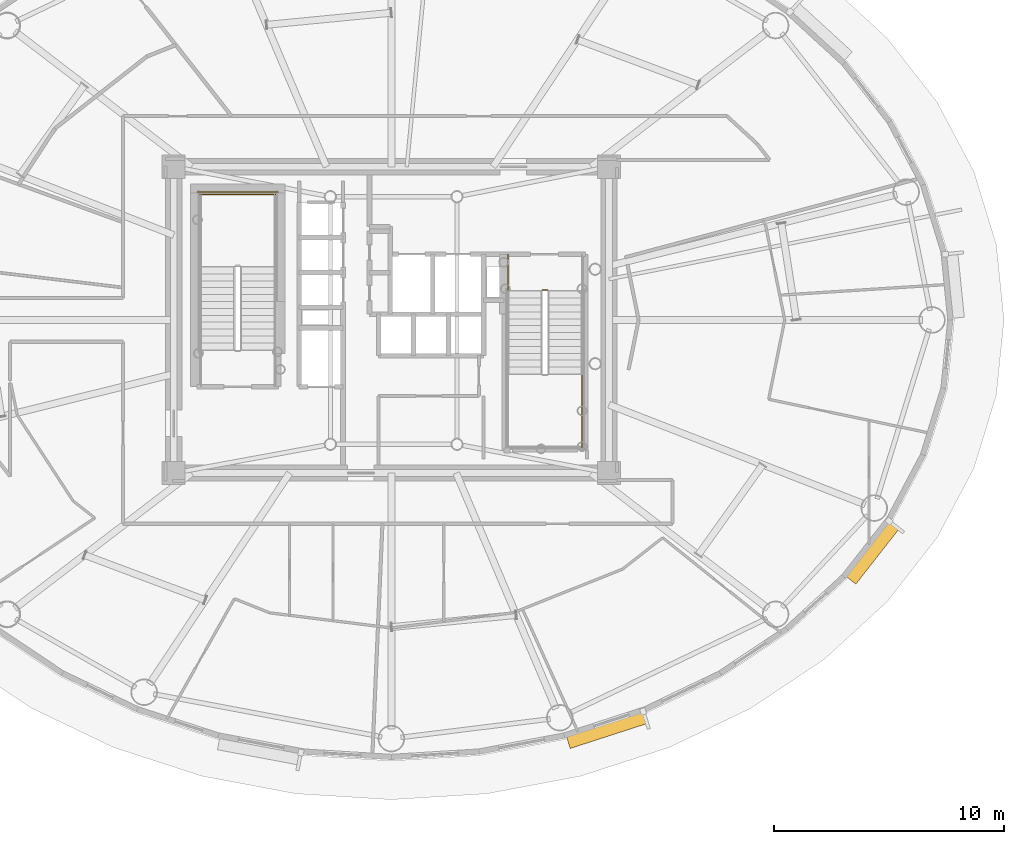
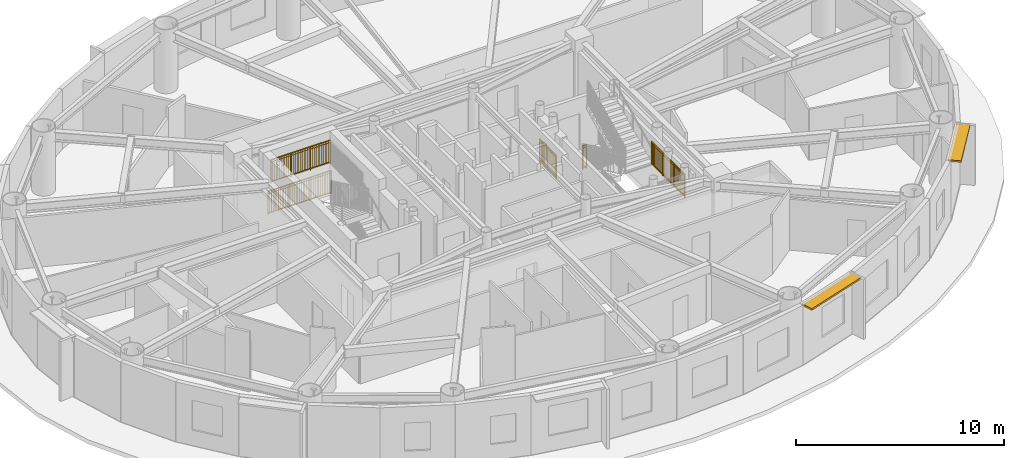
# One storey, part 18 of 19: 5 railings, 2 shading devices.
"""IFC4 building model written with IfcOpenShell, lengths in metres."""

from ifc_helpers import new_model, si_unit, direction, frame, origin, origin_2d, place, context, subcontext, project, spatial, rectangle, extrude, source, transform, mapped, material, layer, layer_set, type_object, element, save


model = new_model("IFC4")

# Units and contexts
model_context = context("Model", 3, precision=1e-05, world=origin(), true_north=direction((0.0, 1.0)))
body_context = subcontext(model_context, "Body", "Model", "MODEL_VIEW")
ifc_project = project(units=[si_unit("LENGTHUNIT", "METRE"), si_unit("AREAUNIT", "SQUARE_METRE"), si_unit("VOLUMEUNIT", "CUBIC_METRE"), si_unit("PLANEANGLEUNIT", "RADIAN"), si_unit("MASSUNIT", "GRAM", prefix="KILO")], contexts=[model_context])

# Site, building, storey
site_placement = place(None, origin())
site = spatial("IfcSite", under=ifc_project, at=site_placement, CompositionType="ELEMENT")
building_placement = place(site_placement, origin())
building = spatial("IfcBuilding", under=site, at=building_placement, Name="Linh Dai School and Residence Tower", CompositionType="ELEMENT")
storey_placement = place(building_placement, frame((0.0, 0.0, 210.300048828125)))
storey = spatial("IfcBuildingStorey", under=building, at=storey_placement, Name="L51", CompositionType="ELEMENT", Elevation=210.300048828125)

# Shading devices
ifc_material_1 = material(Name="Terracotta Ceramic Sunshade", Category="masonry")
ifc_layer = layer(ifc_material_1, 0.10009765625)
ifc_layer_set = layer_set([ifc_layer], Name="Terracotta Ceramic Sunshade")
shading_device_type = type_object("IfcShadingDeviceType", Name="SHD-TC-650", PredefinedType="USERDEFINED", material=ifc_layer_set)
shared_shape_1 = source(origin(), body_context, "Body", "SweptSolid", [
    extrude(rectangle(XDim=3.554443359375, YDim=0.64990234375, at=origin_2d()), origin(), (0.0, 0.0, 1.0), 0.10009765625),
])
shading_device_1_placement = place(storey_placement, frame((45.358154296875, 9.251220703125, 3.3798828125), z_axis=(0.0, 0.0, 1.0), x_axis=(-0.951223997135, -0.308501065272, 0.0)))
element("IfcShadingDevice", 1, at=shading_device_1_placement, inside=storey, type_object=shading_device_type, Name="L51 Terracotta Horizontal Sunshade Band 33", ObjectType="SUNSHADE", PredefinedType="USERDEFINED", context=body_context, shape_type="MappedRepresentation", body=[
    mapped(shared_shape_1, transform((0.0, 0.0, 0.0), x_axis=(1.0, 0.0, 0.0), y_axis=(0.0, 1.0, 0.0), z_axis=(0.0, 0.0, 1.0), scale=1.0)),
])
shared_shape_2 = source(origin(), body_context, "Body", "SweptSolid", [
    extrude(rectangle(XDim=3.095703125, YDim=0.64990234375, at=origin_2d()), origin(), (0.0, 0.0, 1.0), 0.10009765625),
])
shading_device_2_placement = place(storey_placement, frame((56.866455078125, 16.949462890625, 3.3798828125), z_axis=(0.0, 0.0, 1.0), x_axis=(-0.616333598027, -0.787485171888, 0.0)))
element("IfcShadingDevice", 2, at=shading_device_2_placement, inside=storey, type_object=shading_device_type, Name="L51 Terracotta Horizontal Sunshade Band 37", ObjectType="SUNSHADE", PredefinedType="USERDEFINED", context=body_context, shape_type="MappedRepresentation", body=[
    mapped(shared_shape_2, transform((0.0, 0.0, 0.0), x_axis=(1.0, 0.0, 0.0), y_axis=(0.0, 1.0, 0.0), z_axis=(0.0, 0.0, 1.0), scale=1.0)),
])

# Railings
ifc_material_2 = material(Name="Structural Steel S355JR", Category="steel")
railing_type = type_object("IfcRailingType", Name="RL-ST-GUARD-1400", PredefinedType="GUARDRAIL", material=ifc_material_2)
shared_shape_3 = source(origin(), body_context, "Body", "SweptSolid", [
    extrude(rectangle(XDim=0.048095703125, YDim=0.048095703125, at=origin_2d()), frame((0.0, 0.0, 1.3759765625), z_axis=(-1.0, 0.0, 0.0), x_axis=(0.0, -1.0, 0.0)), (0.0, 0.0, 1.0), 3.300048828125),
    extrude(rectangle(XDim=0.048095703125, YDim=0.048095703125, at=origin_2d()), frame((0.0, 0.0, 0.10009765625), z_axis=(-1.0, 0.0, 0.0), x_axis=(0.0, -1.0, 0.0)), (0.0, 0.0, 1.0), 3.300048828125),
    extrude(rectangle(XDim=0.030029296875, YDim=0.030029296875, at=origin_2d()), frame((0.0, 0.0, 1.239990234375), z_axis=(-1.0, 0.0, 0.0), x_axis=(0.0, -1.0, 0.0)), (0.0, 0.0, 1.0), 3.300048828125),
    extrude(rectangle(XDim=0.02001953125, YDim=0.02001953125, at=origin_2d()), frame((-0.09716796875, 0.0, 0.10009765625)), (0.0, 0.0, 1.0), 1.251708984375),
    extrude(rectangle(XDim=0.02001953125, YDim=0.02001953125, at=origin_2d()), frame((-0.194091796875, 0.0, 0.10009765625)), (0.0, 0.0, 1.0), 1.251708984375),
    extrude(rectangle(XDim=0.02001953125, YDim=0.02001953125, at=origin_2d()), frame((-0.291259765625, 0.0, 0.10009765625)), (0.0, 0.0, 1.0), 1.251708984375),
    extrude(rectangle(XDim=0.02001953125, YDim=0.02001953125, at=origin_2d()), frame((-0.38818359375, 0.0, 0.10009765625)), (0.0, 0.0, 1.0), 1.251708984375),
    extrude(rectangle(XDim=0.02001953125, YDim=0.02001953125, at=origin_2d()), frame((-0.4853515625, 0.0, 0.10009765625)), (0.0, 0.0, 1.0), 1.251708984375),
    extrude(rectangle(XDim=0.02001953125, YDim=0.02001953125, at=origin_2d()), frame((-0.582275390625, 0.0, 0.10009765625)), (0.0, 0.0, 1.0), 1.251708984375),
    extrude(rectangle(XDim=0.02001953125, YDim=0.02001953125, at=origin_2d()), frame((-0.679443359375, 0.0, 0.10009765625)), (0.0, 0.0, 1.0), 1.251708984375),
    extrude(rectangle(XDim=0.02001953125, YDim=0.02001953125, at=origin_2d()), frame((-0.7763671875, 0.0, 0.10009765625)), (0.0, 0.0, 1.0), 1.251708984375),
    extrude(rectangle(XDim=0.02001953125, YDim=0.02001953125, at=origin_2d()), frame((-0.87353515625, 0.0, 0.10009765625)), (0.0, 0.0, 1.0), 1.251708984375),
    extrude(rectangle(XDim=0.02001953125, YDim=0.02001953125, at=origin_2d()), frame((-0.970703125, 0.0, 0.10009765625)), (0.0, 0.0, 1.0), 1.251708984375),
    extrude(rectangle(XDim=0.02001953125, YDim=0.02001953125, at=origin_2d()), frame((-1.164794921875, 0.0, 0.10009765625)), (0.0, 0.0, 1.0), 1.251708984375),
    extrude(rectangle(XDim=0.02001953125, YDim=0.02001953125, at=origin_2d()), frame((-1.26171875, 0.0, 0.10009765625)), (0.0, 0.0, 1.0), 1.251708984375),
    extrude(rectangle(XDim=0.02001953125, YDim=0.02001953125, at=origin_2d()), frame((-1.35888671875, 0.0, 0.10009765625)), (0.0, 0.0, 1.0), 1.251708984375),
    extrude(rectangle(XDim=0.02001953125, YDim=0.02001953125, at=origin_2d()), frame((-1.455810546875, 0.0, 0.10009765625)), (0.0, 0.0, 1.0), 1.251708984375),
    extrude(rectangle(XDim=0.02001953125, YDim=0.02001953125, at=origin_2d()), frame((-1.552978515625, 0.0, 0.10009765625)), (0.0, 0.0, 1.0), 1.251708984375),
    extrude(rectangle(XDim=0.02001953125, YDim=0.02001953125, at=origin_2d()), frame((-1.64990234375, 0.0, 0.10009765625)), (0.0, 0.0, 1.0), 1.251708984375),
    extrude(rectangle(XDim=0.02001953125, YDim=0.02001953125, at=origin_2d()), frame((-1.7470703125, 0.0, 0.10009765625)), (0.0, 0.0, 1.0), 1.251708984375),
    extrude(rectangle(XDim=0.02001953125, YDim=0.02001953125, at=origin_2d()), frame((-1.84423828125, 0.0, 0.10009765625)), (0.0, 0.0, 1.0), 1.251708984375),
    extrude(rectangle(XDim=0.02001953125, YDim=0.02001953125, at=origin_2d()), frame((-1.941162109375, 0.0, 0.10009765625)), (0.0, 0.0, 1.0), 1.251708984375),
    extrude(rectangle(XDim=0.02001953125, YDim=0.02001953125, at=origin_2d()), frame((-2.038330078125, 0.0, 0.10009765625)), (0.0, 0.0, 1.0), 1.251708984375),
    extrude(rectangle(XDim=0.02001953125, YDim=0.02001953125, at=origin_2d()), frame((-2.13525390625, 0.0, 0.10009765625)), (0.0, 0.0, 1.0), 1.251708984375),
    extrude(rectangle(XDim=0.02001953125, YDim=0.02001953125, at=origin_2d()), frame((-2.329345703125, 0.0, 0.10009765625)), (0.0, 0.0, 1.0), 1.251708984375),
    extrude(rectangle(XDim=0.02001953125, YDim=0.02001953125, at=origin_2d()), frame((-2.426513671875, 0.0, 0.10009765625)), (0.0, 0.0, 1.0), 1.251708984375),
    extrude(rectangle(XDim=0.02001953125, YDim=0.02001953125, at=origin_2d()), frame((-2.523681640625, 0.0, 0.10009765625)), (0.0, 0.0, 1.0), 1.251708984375),
    extrude(rectangle(XDim=0.02001953125, YDim=0.02001953125, at=origin_2d()), frame((-2.62060546875, 0.0, 0.10009765625)), (0.0, 0.0, 1.0), 1.251708984375),
    extrude(rectangle(XDim=0.02001953125, YDim=0.02001953125, at=origin_2d()), frame((-2.7177734375, 0.0, 0.10009765625)), (0.0, 0.0, 1.0), 1.251708984375),
    extrude(rectangle(XDim=0.02001953125, YDim=0.02001953125, at=origin_2d()), frame((-2.814697265625, 0.0, 0.10009765625)), (0.0, 0.0, 1.0), 1.251708984375),
    extrude(rectangle(XDim=0.02001953125, YDim=0.02001953125, at=origin_2d()), frame((-2.911865234375, 0.0, 0.10009765625)), (0.0, 0.0, 1.0), 1.251708984375),
    extrude(rectangle(XDim=0.02001953125, YDim=0.02001953125, at=origin_2d()), frame((-3.0087890625, 0.0, 0.10009765625)), (0.0, 0.0, 1.0), 1.251708984375),
    extrude(rectangle(XDim=0.02001953125, YDim=0.02001953125, at=origin_2d()), frame((-3.10595703125, 0.0, 0.10009765625)), (0.0, 0.0, 1.0), 1.251708984375),
    extrude(rectangle(XDim=0.02001953125, YDim=0.02001953125, at=origin_2d()), frame((-3.202880859375, 0.0, 0.10009765625)), (0.0, 0.0, 1.0), 1.251708984375),
    extrude(rectangle(XDim=0.0419921875, YDim=0.0419921875, at=origin_2d()), origin(), (0.0, 0.0, 1.0), 1.3759765625),
    extrude(rectangle(XDim=0.0419921875, YDim=0.0419921875, at=origin_2d()), frame((-1.10009765625, 0.0, 0.0)), (0.0, 0.0, 1.0), 1.3759765625),
    extrude(rectangle(XDim=0.0419921875, YDim=0.0419921875, at=origin_2d()), frame((-2.199951171875, 0.0, 0.0)), (0.0, 0.0, 1.0), 1.3759765625),
    extrude(rectangle(XDim=0.0419921875, YDim=0.0419921875, at=origin_2d()), frame((-3.300048828125, 0.0, 0.0)), (0.0, 0.0, 1.0), 1.3759765625),
])
railing_1_placement = place(storey_placement, frame((30.97998046875, 32.449951171875, 1.875)))
element("IfcRailing", 3, at=railing_1_placement, inside=storey, type_object=railing_type, Name="L51 ST1 stair guard 5", PredefinedType="GUARDRAIL", context=body_context, shape_type="MappedRepresentation", body=[
    mapped(shared_shape_3, transform((0.0, 0.0, 0.0), x_axis=(1.0, 0.0, 0.0), y_axis=(0.0, 1.0, 0.0), z_axis=(0.0, 0.0, 1.0), scale=1.0)),
])
shared_shape_4 = source(origin(), body_context, "Body", "SweptSolid", [
    extrude(rectangle(XDim=0.048095703125, YDim=0.048095703125, at=origin_2d()), frame((0.0, 0.0, 1.3759765625), z_axis=(-1.0, 0.0, 0.0), x_axis=(0.0, -1.0, 0.0)), (0.0, 0.0, 1.0), 3.5),
    extrude(rectangle(XDim=0.048095703125, YDim=0.048095703125, at=origin_2d()), frame((0.0, 0.0, 0.10009765625), z_axis=(-1.0, 0.0, 0.0), x_axis=(0.0, -1.0, 0.0)), (0.0, 0.0, 1.0), 3.5),
    extrude(rectangle(XDim=0.030029296875, YDim=0.030029296875, at=origin_2d()), frame((0.0, 0.0, 1.239990234375), z_axis=(-1.0, 0.0, 0.0), x_axis=(0.0, -1.0, 0.0)), (0.0, 0.0, 1.0), 3.5),
    extrude(rectangle(XDim=0.02001953125, YDim=0.02001953125, at=origin_2d()), frame((-0.09716796875, 0.0, 0.10009765625)), (0.0, 0.0, 1.0), 1.251708984375),
    extrude(rectangle(XDim=0.02001953125, YDim=0.02001953125, at=origin_2d()), frame((-0.1943359375, 0.0, 0.10009765625)), (0.0, 0.0, 1.0), 1.251708984375),
    extrude(rectangle(XDim=0.02001953125, YDim=0.02001953125, at=origin_2d()), frame((-0.291748046875, 0.0, 0.10009765625)), (0.0, 0.0, 1.0), 1.251708984375),
    extrude(rectangle(XDim=0.02001953125, YDim=0.02001953125, at=origin_2d()), frame((-0.388916015625, 0.0, 0.10009765625)), (0.0, 0.0, 1.0), 1.251708984375),
    extrude(rectangle(XDim=0.02001953125, YDim=0.02001953125, at=origin_2d()), frame((-0.486083984375, 0.0, 0.10009765625)), (0.0, 0.0, 1.0), 1.251708984375),
    extrude(rectangle(XDim=0.02001953125, YDim=0.02001953125, at=origin_2d()), frame((-0.583251953125, 0.0, 0.10009765625)), (0.0, 0.0, 1.0), 1.251708984375),
    extrude(rectangle(XDim=0.02001953125, YDim=0.02001953125, at=origin_2d()), frame((-0.6806640625, 0.0, 0.10009765625)), (0.0, 0.0, 1.0), 1.251708984375),
    extrude(rectangle(XDim=0.02001953125, YDim=0.02001953125, at=origin_2d()), frame((-0.77783203125, 0.0, 0.10009765625)), (0.0, 0.0, 1.0), 1.251708984375),
    extrude(rectangle(XDim=0.02001953125, YDim=0.02001953125, at=origin_2d()), frame((-0.875, 0.0, 0.10009765625)), (0.0, 0.0, 1.0), 1.251708984375),
    extrude(rectangle(XDim=0.02001953125, YDim=0.02001953125, at=origin_2d()), frame((-0.97216796875, 0.0, 0.10009765625)), (0.0, 0.0, 1.0), 1.251708984375),
    extrude(rectangle(XDim=0.02001953125, YDim=0.02001953125, at=origin_2d()), frame((-1.0693359375, 0.0, 0.10009765625)), (0.0, 0.0, 1.0), 1.251708984375),
    extrude(rectangle(XDim=0.02001953125, YDim=0.02001953125, at=origin_2d()), frame((-1.263916015625, 0.0, 0.10009765625)), (0.0, 0.0, 1.0), 1.251708984375),
    extrude(rectangle(XDim=0.02001953125, YDim=0.02001953125, at=origin_2d()), frame((-1.361083984375, 0.0, 0.10009765625)), (0.0, 0.0, 1.0), 1.251708984375),
    extrude(rectangle(XDim=0.02001953125, YDim=0.02001953125, at=origin_2d()), frame((-1.458251953125, 0.0, 0.10009765625)), (0.0, 0.0, 1.0), 1.251708984375),
    extrude(rectangle(XDim=0.02001953125, YDim=0.02001953125, at=origin_2d()), frame((-1.5556640625, 0.0, 0.10009765625)), (0.0, 0.0, 1.0), 1.251708984375),
    extrude(rectangle(XDim=0.02001953125, YDim=0.02001953125, at=origin_2d()), frame((-1.65283203125, 0.0, 0.10009765625)), (0.0, 0.0, 1.0), 1.251708984375),
    extrude(rectangle(XDim=0.02001953125, YDim=0.02001953125, at=origin_2d()), frame((-1.75, 0.0, 0.10009765625)), (0.0, 0.0, 1.0), 1.251708984375),
    extrude(rectangle(XDim=0.02001953125, YDim=0.02001953125, at=origin_2d()), frame((-1.84716796875, 0.0, 0.10009765625)), (0.0, 0.0, 1.0), 1.251708984375),
    extrude(rectangle(XDim=0.02001953125, YDim=0.02001953125, at=origin_2d()), frame((-1.9443359375, 0.0, 0.10009765625)), (0.0, 0.0, 1.0), 1.251708984375),
    extrude(rectangle(XDim=0.02001953125, YDim=0.02001953125, at=origin_2d()), frame((-2.041748046875, 0.0, 0.10009765625)), (0.0, 0.0, 1.0), 1.251708984375),
    extrude(rectangle(XDim=0.02001953125, YDim=0.02001953125, at=origin_2d()), frame((-2.138916015625, 0.0, 0.10009765625)), (0.0, 0.0, 1.0), 1.251708984375),
    extrude(rectangle(XDim=0.02001953125, YDim=0.02001953125, at=origin_2d()), frame((-2.236083984375, 0.0, 0.10009765625)), (0.0, 0.0, 1.0), 1.251708984375),
    extrude(rectangle(XDim=0.02001953125, YDim=0.02001953125, at=origin_2d()), frame((-2.4306640625, 0.0, 0.10009765625)), (0.0, 0.0, 1.0), 1.251708984375),
    extrude(rectangle(XDim=0.02001953125, YDim=0.02001953125, at=origin_2d()), frame((-2.52783203125, 0.0, 0.10009765625)), (0.0, 0.0, 1.0), 1.251708984375),
    extrude(rectangle(XDim=0.02001953125, YDim=0.02001953125, at=origin_2d()), frame((-2.625, 0.0, 0.10009765625)), (0.0, 0.0, 1.0), 1.251708984375),
    extrude(rectangle(XDim=0.02001953125, YDim=0.02001953125, at=origin_2d()), frame((-2.72216796875, 0.0, 0.10009765625)), (0.0, 0.0, 1.0), 1.251708984375),
    extrude(rectangle(XDim=0.02001953125, YDim=0.02001953125, at=origin_2d()), frame((-2.8193359375, 0.0, 0.10009765625)), (0.0, 0.0, 1.0), 1.251708984375),
    extrude(rectangle(XDim=0.02001953125, YDim=0.02001953125, at=origin_2d()), frame((-2.916748046875, 0.0, 0.10009765625)), (0.0, 0.0, 1.0), 1.251708984375),
    extrude(rectangle(XDim=0.02001953125, YDim=0.02001953125, at=origin_2d()), frame((-3.013916015625, 0.0, 0.10009765625)), (0.0, 0.0, 1.0), 1.251708984375),
    extrude(rectangle(XDim=0.02001953125, YDim=0.02001953125, at=origin_2d()), frame((-3.111083984375, 0.0, 0.10009765625)), (0.0, 0.0, 1.0), 1.251708984375),
    extrude(rectangle(XDim=0.02001953125, YDim=0.02001953125, at=origin_2d()), frame((-3.208251953125, 0.0, 0.10009765625)), (0.0, 0.0, 1.0), 1.251708984375),
    extrude(rectangle(XDim=0.02001953125, YDim=0.02001953125, at=origin_2d()), frame((-3.3056640625, 0.0, 0.10009765625)), (0.0, 0.0, 1.0), 1.251708984375),
    extrude(rectangle(XDim=0.02001953125, YDim=0.02001953125, at=origin_2d()), frame((-3.40283203125, 0.0, 0.10009765625)), (0.0, 0.0, 1.0), 1.251708984375),
    extrude(rectangle(XDim=0.0419921875, YDim=0.0419921875, at=origin_2d()), origin(), (0.0, 0.0, 1.0), 1.3759765625),
    extrude(rectangle(XDim=0.0419921875, YDim=0.0419921875, at=origin_2d()), frame((-1.166748046875, 0.0, 0.0)), (0.0, 0.0, 1.0), 1.3759765625),
    extrude(rectangle(XDim=0.0419921875, YDim=0.0419921875, at=origin_2d()), frame((-2.333251953125, 0.0, 0.0)), (0.0, 0.0, 1.0), 1.3759765625),
    extrude(rectangle(XDim=0.0419921875, YDim=0.0419921875, at=origin_2d()), frame((-3.5, 0.0, 0.0)), (0.0, 0.0, 1.0), 1.3759765625),
])
railing_2_placement = place(storey_placement, frame((31.080078125, 32.550048828125, 0.0)))
element("IfcRailing", 4, at=railing_2_placement, inside=storey, type_object=railing_type, Name="L51 ST1 stair guard 12", PredefinedType="GUARDRAIL", context=body_context, shape_type="MappedRepresentation", body=[
    mapped(shared_shape_4, transform((0.0, 0.0, 0.0), x_axis=(1.0, 0.0, 0.0), y_axis=(0.0, 1.0, 0.0), z_axis=(0.0, 0.0, 1.0), scale=1.0)),
])
shared_shape_5 = source(origin(), body_context, "Body", "SweptSolid", [
    extrude(rectangle(XDim=0.048095703125, YDim=0.048095703125, at=origin_2d()), frame((0.0, 0.0, 1.3759765625), z_axis=(1.0, 0.0, 0.0), x_axis=(0.0, 1.0, 0.0)), (0.0, 0.0, 1.0), 0.199951171875),
    extrude(rectangle(XDim=0.048095703125, YDim=0.048095703125, at=origin_2d()), frame((0.0, 0.0, 0.10009765625), z_axis=(1.0, 0.0, 0.0), x_axis=(0.0, 1.0, 0.0)), (0.0, 0.0, 1.0), 0.199951171875),
    extrude(rectangle(XDim=0.030029296875, YDim=0.030029296875, at=origin_2d()), frame((0.0, 0.0, 1.239990234375), z_axis=(1.0, 0.0, 0.0), x_axis=(0.0, 1.0, 0.0)), (0.0, 0.0, 1.0), 0.199951171875),
    extrude(rectangle(XDim=0.0419921875, YDim=0.0419921875, at=origin_2d()), origin(), (0.0, 0.0, 1.0), 1.3759765625),
    extrude(rectangle(XDim=0.0419921875, YDim=0.0419921875, at=origin_2d()), frame((0.199951171875, 0.0, 0.0)), (0.0, 0.0, 1.0), 1.3759765625),
])
railing_3_placement = place(storey_placement, frame((42.570068359375, 28.300048828125, 0.0)))
element("IfcRailing", 5, at=railing_3_placement, inside=storey, type_object=railing_type, Name="L51 ST2 stair guard 7", PredefinedType="GUARDRAIL", context=body_context, shape_type="MappedRepresentation", body=[
    mapped(shared_shape_5, transform((0.0, 0.0, 0.0), x_axis=(1.0, 0.0, 0.0), y_axis=(0.0, 1.0, 0.0), z_axis=(0.0, 0.0, 1.0), scale=1.0)),
])
shared_shape_6 = source(origin(), body_context, "Body", "SweptSolid", [
    extrude(rectangle(XDim=0.048095703125, YDim=0.048095703125, at=origin_2d()), frame((0.0, 0.0, 1.3759765625), z_axis=(0.0, -1.0, 0.0), x_axis=(1.0, 0.0, 0.0)), (0.0, 0.0, 1.0), 1.60009765625),
    extrude(rectangle(XDim=0.048095703125, YDim=0.048095703125, at=origin_2d()), frame((0.0, 0.0, 0.10009765625), z_axis=(0.0, -1.0, 0.0), x_axis=(1.0, 0.0, 0.0)), (0.0, 0.0, 1.0), 1.60009765625),
    extrude(rectangle(XDim=0.030029296875, YDim=0.030029296875, at=origin_2d()), frame((0.0, 0.0, 1.239990234375), z_axis=(0.0, -1.0, 0.0), x_axis=(1.0, 0.0, 0.0)), (0.0, 0.0, 1.0), 1.60009765625),
    extrude(rectangle(XDim=0.02001953125, YDim=0.02001953125, at=origin_2d()), frame((0.0, -0.09423828125, 0.10009765625)), (0.0, 0.0, 1.0), 1.251708984375),
    extrude(rectangle(XDim=0.02001953125, YDim=0.02001953125, at=origin_2d()), frame((0.0, -0.188232421875, 0.10009765625)), (0.0, 0.0, 1.0), 1.251708984375),
    extrude(rectangle(XDim=0.02001953125, YDim=0.02001953125, at=origin_2d()), frame((0.0, -0.282470703125, 0.10009765625)), (0.0, 0.0, 1.0), 1.251708984375),
    extrude(rectangle(XDim=0.02001953125, YDim=0.02001953125, at=origin_2d()), frame((0.0, -0.37646484375, 0.10009765625)), (0.0, 0.0, 1.0), 1.251708984375),
    extrude(rectangle(XDim=0.02001953125, YDim=0.02001953125, at=origin_2d()), frame((0.0, -0.470703125, 0.10009765625)), (0.0, 0.0, 1.0), 1.251708984375),
    extrude(rectangle(XDim=0.02001953125, YDim=0.02001953125, at=origin_2d()), frame((0.0, -0.564697265625, 0.10009765625)), (0.0, 0.0, 1.0), 1.251708984375),
    extrude(rectangle(XDim=0.02001953125, YDim=0.02001953125, at=origin_2d()), frame((0.0, -0.658935546875, 0.10009765625)), (0.0, 0.0, 1.0), 1.251708984375),
    extrude(rectangle(XDim=0.02001953125, YDim=0.02001953125, at=origin_2d()), frame((0.0, -0.7529296875, 0.10009765625)), (0.0, 0.0, 1.0), 1.251708984375),
    extrude(rectangle(XDim=0.02001953125, YDim=0.02001953125, at=origin_2d()), frame((0.0, -0.84716796875, 0.10009765625)), (0.0, 0.0, 1.0), 1.251708984375),
    extrude(rectangle(XDim=0.02001953125, YDim=0.02001953125, at=origin_2d()), frame((0.0, -0.941162109375, 0.10009765625)), (0.0, 0.0, 1.0), 1.251708984375),
    extrude(rectangle(XDim=0.02001953125, YDim=0.02001953125, at=origin_2d()), frame((0.0, -1.035400390625, 0.10009765625)), (0.0, 0.0, 1.0), 1.251708984375),
    extrude(rectangle(XDim=0.02001953125, YDim=0.02001953125, at=origin_2d()), frame((0.0, -1.12939453125, 0.10009765625)), (0.0, 0.0, 1.0), 1.251708984375),
    extrude(rectangle(XDim=0.02001953125, YDim=0.02001953125, at=origin_2d()), frame((0.0, -1.2236328125, 0.10009765625)), (0.0, 0.0, 1.0), 1.251708984375),
    extrude(rectangle(XDim=0.02001953125, YDim=0.02001953125, at=origin_2d()), frame((0.0, -1.317626953125, 0.10009765625)), (0.0, 0.0, 1.0), 1.251708984375),
    extrude(rectangle(XDim=0.02001953125, YDim=0.02001953125, at=origin_2d()), frame((0.0, -1.411865234375, 0.10009765625)), (0.0, 0.0, 1.0), 1.251708984375),
    extrude(rectangle(XDim=0.02001953125, YDim=0.02001953125, at=origin_2d()), frame((0.0, -1.505859375, 0.10009765625)), (0.0, 0.0, 1.0), 1.251708984375),
    extrude(rectangle(XDim=0.0419921875, YDim=0.0419921875, at=origin_2d()), origin(), (0.0, 0.0, 1.0), 1.3759765625),
    extrude(rectangle(XDim=0.0419921875, YDim=0.0419921875, at=origin_2d()), frame((0.0, -0.800048828125, 0.0)), (0.0, 0.0, 1.0), 1.3759765625),
    extrude(rectangle(XDim=0.0419921875, YDim=0.0419921875, at=origin_2d()), frame((0.0, -1.60009765625, 0.0)), (0.0, 0.0, 1.0), 1.3759765625),
])
railing_4_placement = place(storey_placement, frame((41.070068359375, 29.85009765625, 0.0)))
element("IfcRailing", 6, at=railing_4_placement, inside=storey, type_object=railing_type, Name="L51 ST2 stair guard 8", PredefinedType="GUARDRAIL", context=body_context, shape_type="MappedRepresentation", body=[
    mapped(shared_shape_6, transform((0.0, 0.0, 0.0), x_axis=(1.0, 0.0, 0.0), y_axis=(0.0, 1.0, 0.0), z_axis=(0.0, 0.0, 1.0), scale=1.0)),
])
shared_shape_7 = source(origin(), body_context, "Body", "SweptSolid", [
    extrude(rectangle(XDim=0.048095703125, YDim=0.048095703125, at=origin_2d()), frame((0.0, 0.0, 1.3759765625), z_axis=(0.0, -1.0, 0.0), x_axis=(1.0, 0.0, 0.0)), (0.0, 0.0, 1.0), 3.199951171875),
    extrude(rectangle(XDim=0.048095703125, YDim=0.048095703125, at=origin_2d()), frame((0.0, 0.0, 0.10009765625), z_axis=(0.0, -1.0, 0.0), x_axis=(1.0, 0.0, 0.0)), (0.0, 0.0, 1.0), 3.199951171875),
    extrude(rectangle(XDim=0.030029296875, YDim=0.030029296875, at=origin_2d()), frame((0.0, 0.0, 1.239990234375), z_axis=(0.0, -1.0, 0.0), x_axis=(1.0, 0.0, 0.0)), (0.0, 0.0, 1.0), 3.199951171875),
    extrude(rectangle(XDim=0.02001953125, YDim=0.02001953125, at=origin_2d()), frame((0.0, -0.096923828125, 0.10009765625)), (0.0, 0.0, 1.0), 1.251708984375),
    extrude(rectangle(XDim=0.02001953125, YDim=0.02001953125, at=origin_2d()), frame((0.0, -0.19384765625, 0.10009765625)), (0.0, 0.0, 1.0), 1.251708984375),
    extrude(rectangle(XDim=0.02001953125, YDim=0.02001953125, at=origin_2d()), frame((0.0, -0.291015625, 0.10009765625)), (0.0, 0.0, 1.0), 1.251708984375),
    extrude(rectangle(XDim=0.02001953125, YDim=0.02001953125, at=origin_2d()), frame((0.0, -0.387939453125, 0.10009765625)), (0.0, 0.0, 1.0), 1.251708984375),
    extrude(rectangle(XDim=0.02001953125, YDim=0.02001953125, at=origin_2d()), frame((0.0, -0.48486328125, 0.10009765625)), (0.0, 0.0, 1.0), 1.251708984375),
    extrude(rectangle(XDim=0.02001953125, YDim=0.02001953125, at=origin_2d()), frame((0.0, -0.581787109375, 0.10009765625)), (0.0, 0.0, 1.0), 1.251708984375),
    extrude(rectangle(XDim=0.02001953125, YDim=0.02001953125, at=origin_2d()), frame((0.0, -0.6787109375, 0.10009765625)), (0.0, 0.0, 1.0), 1.251708984375),
    extrude(rectangle(XDim=0.02001953125, YDim=0.02001953125, at=origin_2d()), frame((0.0, -0.775634765625, 0.10009765625)), (0.0, 0.0, 1.0), 1.251708984375),
    extrude(rectangle(XDim=0.02001953125, YDim=0.02001953125, at=origin_2d()), frame((0.0, -0.872802734375, 0.10009765625)), (0.0, 0.0, 1.0), 1.251708984375),
    extrude(rectangle(XDim=0.02001953125, YDim=0.02001953125, at=origin_2d()), frame((0.0, -0.9697265625, 0.10009765625)), (0.0, 0.0, 1.0), 1.251708984375),
    extrude(rectangle(XDim=0.02001953125, YDim=0.02001953125, at=origin_2d()), frame((0.0, -1.16357421875, 0.10009765625)), (0.0, 0.0, 1.0), 1.251708984375),
    extrude(rectangle(XDim=0.02001953125, YDim=0.02001953125, at=origin_2d()), frame((0.0, -1.260498046875, 0.10009765625)), (0.0, 0.0, 1.0), 1.251708984375),
    extrude(rectangle(XDim=0.02001953125, YDim=0.02001953125, at=origin_2d()), frame((0.0, -1.357666015625, 0.10009765625)), (0.0, 0.0, 1.0), 1.251708984375),
    extrude(rectangle(XDim=0.02001953125, YDim=0.02001953125, at=origin_2d()), frame((0.0, -1.45458984375, 0.10009765625)), (0.0, 0.0, 1.0), 1.251708984375),
    extrude(rectangle(XDim=0.02001953125, YDim=0.02001953125, at=origin_2d()), frame((0.0, -1.551513671875, 0.10009765625)), (0.0, 0.0, 1.0), 1.251708984375),
    extrude(rectangle(XDim=0.02001953125, YDim=0.02001953125, at=origin_2d()), frame((0.0, -1.6484375, 0.10009765625)), (0.0, 0.0, 1.0), 1.251708984375),
    extrude(rectangle(XDim=0.02001953125, YDim=0.02001953125, at=origin_2d()), frame((0.0, -1.745361328125, 0.10009765625)), (0.0, 0.0, 1.0), 1.251708984375),
    extrude(rectangle(XDim=0.02001953125, YDim=0.02001953125, at=origin_2d()), frame((0.0, -1.84228515625, 0.10009765625)), (0.0, 0.0, 1.0), 1.251708984375),
    extrude(rectangle(XDim=0.02001953125, YDim=0.02001953125, at=origin_2d()), frame((0.0, -1.939453125, 0.10009765625)), (0.0, 0.0, 1.0), 1.251708984375),
    extrude(rectangle(XDim=0.02001953125, YDim=0.02001953125, at=origin_2d()), frame((0.0, -2.036376953125, 0.10009765625)), (0.0, 0.0, 1.0), 1.251708984375),
    extrude(rectangle(XDim=0.02001953125, YDim=0.02001953125, at=origin_2d()), frame((0.0, -2.230224609375, 0.10009765625)), (0.0, 0.0, 1.0), 1.251708984375),
    extrude(rectangle(XDim=0.02001953125, YDim=0.02001953125, at=origin_2d()), frame((0.0, -2.3271484375, 0.10009765625)), (0.0, 0.0, 1.0), 1.251708984375),
    extrude(rectangle(XDim=0.02001953125, YDim=0.02001953125, at=origin_2d()), frame((0.0, -2.42431640625, 0.10009765625)), (0.0, 0.0, 1.0), 1.251708984375),
    extrude(rectangle(XDim=0.02001953125, YDim=0.02001953125, at=origin_2d()), frame((0.0, -2.521240234375, 0.10009765625)), (0.0, 0.0, 1.0), 1.251708984375),
    extrude(rectangle(XDim=0.02001953125, YDim=0.02001953125, at=origin_2d()), frame((0.0, -2.6181640625, 0.10009765625)), (0.0, 0.0, 1.0), 1.251708984375),
    extrude(rectangle(XDim=0.02001953125, YDim=0.02001953125, at=origin_2d()), frame((0.0, -2.715087890625, 0.10009765625)), (0.0, 0.0, 1.0), 1.251708984375),
    extrude(rectangle(XDim=0.02001953125, YDim=0.02001953125, at=origin_2d()), frame((0.0, -2.81201171875, 0.10009765625)), (0.0, 0.0, 1.0), 1.251708984375),
    extrude(rectangle(XDim=0.02001953125, YDim=0.02001953125, at=origin_2d()), frame((0.0, -2.908935546875, 0.10009765625)), (0.0, 0.0, 1.0), 1.251708984375),
    extrude(rectangle(XDim=0.02001953125, YDim=0.02001953125, at=origin_2d()), frame((0.0, -3.006103515625, 0.10009765625)), (0.0, 0.0, 1.0), 1.251708984375),
    extrude(rectangle(XDim=0.02001953125, YDim=0.02001953125, at=origin_2d()), frame((0.0, -3.10302734375, 0.10009765625)), (0.0, 0.0, 1.0), 1.251708984375),
    extrude(rectangle(XDim=0.0419921875, YDim=0.0419921875, at=origin_2d()), origin(), (0.0, 0.0, 1.0), 1.3759765625),
    extrude(rectangle(XDim=0.0419921875, YDim=0.0419921875, at=origin_2d()), frame((0.0, -1.066650390625, 0.0)), (0.0, 0.0, 1.0), 1.3759765625),
    extrude(rectangle(XDim=0.0419921875, YDim=0.0419921875, at=origin_2d()), frame((0.0, -2.13330078125, 0.0)), (0.0, 0.0, 1.0), 1.3759765625),
    extrude(rectangle(XDim=0.0419921875, YDim=0.0419921875, at=origin_2d()), frame((0.0, -3.199951171875, 0.0)), (0.0, 0.0, 1.0), 1.3759765625),
])
railing_5_placement = place(storey_placement, frame((44.27001953125, 24.64990234375, 1.875)))
element("IfcRailing", 7, at=railing_5_placement, inside=storey, type_object=railing_type, Name="L51 ST2 stair guard 4", PredefinedType="GUARDRAIL", context=body_context, shape_type="MappedRepresentation", body=[
    mapped(shared_shape_7, transform((0.0, 0.0, 0.0), x_axis=(1.0, 0.0, 0.0), y_axis=(0.0, 1.0, 0.0), z_axis=(0.0, 0.0, 1.0), scale=1.0)),
])

save(model, "model.ifc")
